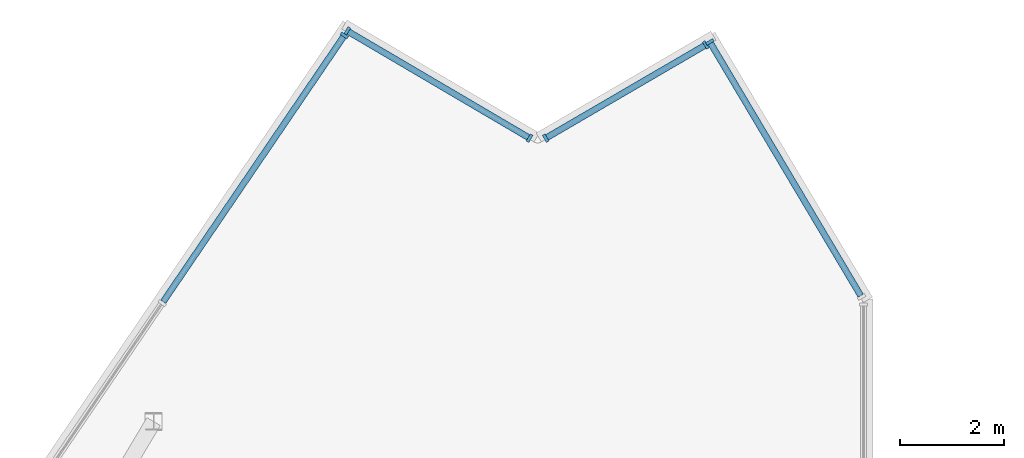
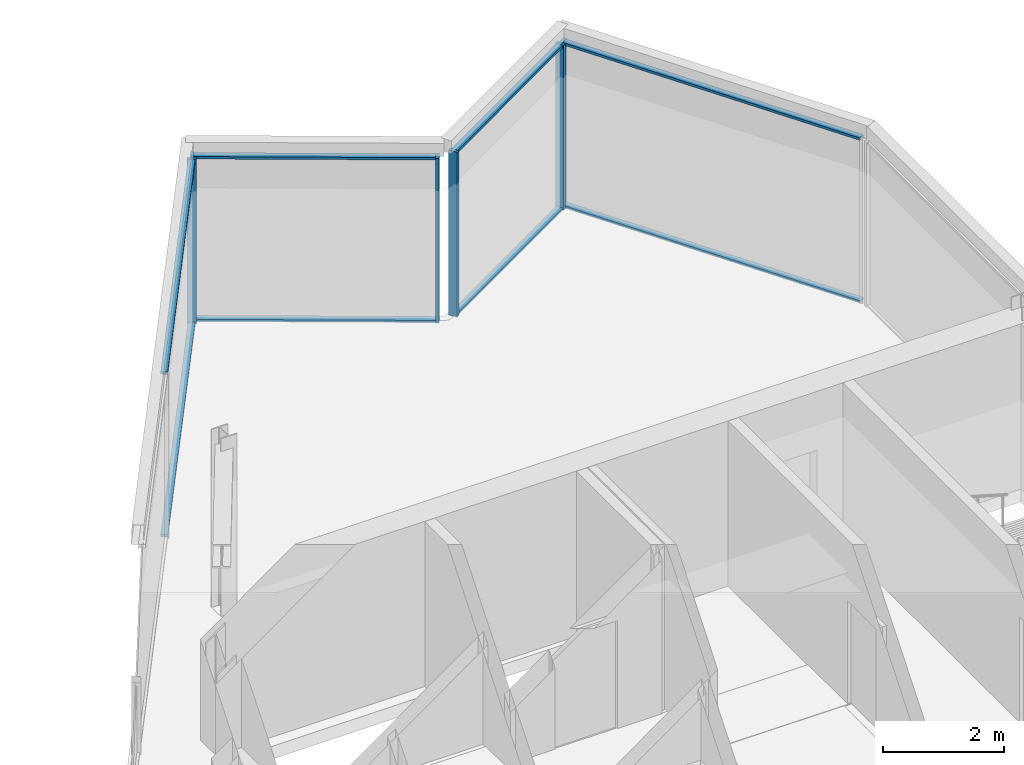
# One storey, part 7 of 15: 14 members, 4 elements without a shape of their own.
"""IFC4 building model written with IfcOpenShell, lengths in metres."""

from ifc_helpers import new_model, si_unit, direction, frame, origin, origin_2d, place, context, subcontext, project, spatial, rectangle, extrude, material, material_profile, profile_set, type_object, element, aggregate, save


model = new_model("IFC4")

# Units and contexts
model_context = context("Model", 3, precision=1e-05, world=origin(), true_north=direction((0.0, 1.0)))
body_context = subcontext(model_context, "Body", "Model", "MODEL_VIEW")
ifc_project = project(units=[si_unit("LENGTHUNIT", "METRE"), si_unit("AREAUNIT", "SQUARE_METRE"), si_unit("VOLUMEUNIT", "CUBIC_METRE"), si_unit("PLANEANGLEUNIT", "RADIAN"), si_unit("MASSUNIT", "GRAM", prefix="KILO")], contexts=[model_context])

# Site, building, storey
site_placement = place(None, origin())
site = spatial("IfcSite", under=ifc_project, at=site_placement, CompositionType="ELEMENT")
building_placement = place(site_placement, origin())
building = spatial("IfcBuilding", under=site, at=building_placement, Name="Savorim Split Tower", CompositionType="ELEMENT")
storey_placement = place(building_placement, frame((0.0, 0.0, 301.199951171875)))
storey = spatial("IfcBuildingStorey", under=building, at=storey_placement, Name="Crown L80 Plant", CompositionType="ELEMENT", Elevation=301.199951171875)

# Curtain wall, member
ifc_material_1 = material(Name="Dark Ceramic-Fritted Insulated Glass", Category="glass")
curtain_wall_type = type_object("IfcCurtainWallType", Name="CW-CROWN-CREST", PredefinedType="NOTDEFINED", material=ifc_material_1)
curtain_wall_1_placement = place(storey_placement, origin())
curtain_wall_1 = element("IfcCurtainWall", 1, at=curtain_wall_1_placement, inside=storey, type_object=curtain_wall_type, Name="Crown L80 Plant Curtain Wall CW-Crown-L80-Plant-W2A", PredefinedType="NOTDEFINED")
ifc_material_2 = material(Name="Charcoal Anodised Aluminium", Category="aluminium")
ifc_material_profile_1 = material_profile(ifc_material_2, rectangle(XDim=0.159912109375, YDim=0.06005859375, at=origin_2d()), Name="ALU-M 160x60")
ifc_profile_set_1 = profile_set([ifc_material_profile_1], Name="Charcoal Anodised Aluminium")
member_type_1 = type_object("IfcMemberType", Name="CWM-160x60", PredefinedType="MULLION", material=ifc_profile_set_1)
member_1_placement = place(storey_placement, frame((4.976806640625, 20.8349609375, 0.0), z_axis=(0.0, 0.0, 1.0), x_axis=(-0.859518577011, -0.511104505725, 0.0)))
member_1 = element("IfcMember", 2, at=member_1_placement, type_object=member_type_1, Name="CW-07 mullion 2", PredefinedType="MULLION", context=body_context, shape_type="SweptSolid", body=[
    extrude(rectangle(XDim=0.159912109375, YDim=0.06005859375, at=origin_2d()), origin(), (0.0, 0.0, 1.0), 3.340087890625),
])

# Curtain wall, members
curtain_wall_2_placement = place(storey_placement, origin())
curtain_wall_2 = element("IfcCurtainWall", 3, at=curtain_wall_2_placement, inside=storey, type_object=curtain_wall_type, Name="Crown L80 Plant Curtain Wall CW-Crown-L80-Plant-W3A", PredefinedType="NOTDEFINED")
member_2_placement = place(storey_placement, frame((4.8984375, 20.77880859375, 0.0), z_axis=(0.0, 0.0, 1.0), x_axis=(0.503513586063, -0.863987308153, 0.0)))
member_2 = element("IfcMember", 4, at=member_2_placement, type_object=member_type_1, Name="CW-07 mullion 1", PredefinedType="MULLION", context=body_context, shape_type="SweptSolid", body=[
    extrude(rectangle(XDim=0.159912109375, YDim=0.06005859375, at=origin_2d()), origin(), (0.0, 0.0, 1.0), 3.340087890625),
])
member_3_placement = place(storey_placement, frame((1.82373046875, 18.987060546875, 0.0), z_axis=(0.0, 0.0, 1.0), x_axis=(0.503513586063, -0.863987308153, 0.0)))
member_3 = element("IfcMember", 5, at=member_3_placement, type_object=member_type_1, Name="CW-07 mullion 2", PredefinedType="MULLION", context=body_context, shape_type="SweptSolid", body=[
    extrude(rectangle(XDim=0.159912109375, YDim=0.06005859375, at=origin_2d()), origin(), (0.0, 0.0, 1.0), 3.340087890625),
])

curtain_wall_3_placement = place(storey_placement, origin())
curtain_wall_3 = element("IfcCurtainWall", 6, at=curtain_wall_3_placement, inside=storey, type_object=curtain_wall_type, Name="Crown L80 Plant Curtain Wall CW-Crown-L80-Plant-W4A", PredefinedType="NOTDEFINED")
member_4_placement = place(storey_placement, frame((1.5126953125, 18.987548828125, 0.0), z_axis=(0.0, 0.0, 1.0), x_axis=(-0.506706354799, -0.862118709927, 0.0)))
member_4 = element("IfcMember", 7, at=member_4_placement, type_object=member_type_1, Name="CW-07 mullion 1", PredefinedType="MULLION", context=body_context, shape_type="SweptSolid", body=[
    extrude(rectangle(XDim=0.159912109375, YDim=0.06005859375, at=origin_2d()), origin(), (0.0, 0.0, 1.0), 3.340087890625),
])
member_5_placement = place(storey_placement, frame((-1.990234375, 21.04638671875, 0.0), z_axis=(0.0, 0.0, 1.0), x_axis=(-0.506706354799, -0.862118709927, 0.0)))
member_5 = element("IfcMember", 8, at=member_5_placement, type_object=member_type_1, Name="CW-07 mullion 2", PredefinedType="MULLION", context=body_context, shape_type="SweptSolid", body=[
    extrude(rectangle(XDim=0.159912109375, YDim=0.06005859375, at=origin_2d()), origin(), (0.0, 0.0, 1.0), 3.340087890625),
])

# Curtain wall, member
curtain_wall_4_placement = place(storey_placement, origin())
curtain_wall_4 = element("IfcCurtainWall", 9, at=curtain_wall_4_placement, inside=storey, type_object=curtain_wall_type, Name="Crown L80 Plant Curtain Wall CW-Crown-L80-Plant-W5A", PredefinedType="NOTDEFINED")
member_6_placement = place(storey_placement, frame((-2.0458984375, 20.96044921875, 0.0), z_axis=(0.0, 0.0, 1.0), x_axis=(0.826821213744, -0.562464826014, 0.0)))
member_6 = element("IfcMember", 10, at=member_6_placement, type_object=member_type_1, Name="CW-07 mullion 1", PredefinedType="MULLION", context=body_context, shape_type="SweptSolid", body=[
    extrude(rectangle(XDim=0.159912109375, YDim=0.06005859375, at=origin_2d()), origin(), (0.0, 0.0, 1.0), 3.340087890625),
])

# Member
ifc_material_profile_2 = material_profile(ifc_material_2, rectangle(XDim=0.1201171875, YDim=0.050048828125, at=origin_2d()), Name="ALU-T 120x50")
ifc_profile_set_2 = profile_set([ifc_material_profile_2], Name="Charcoal Anodised Aluminium")
member_type_2 = type_object("IfcMemberType", Name="CWT-120x50", PredefinedType="USERDEFINED", material=ifc_profile_set_2)
member_7_placement = place(storey_placement, frame((7.875244140625, 15.96044921875, 0.025146484375), z_axis=(-0.511086627264, 0.859529208016, 0.0), x_axis=(-0.859529208016, -0.511086627264, 0.0)))
member_7 = element("IfcMember", 11, at=member_7_placement, type_object=member_type_2, Name="CW-07 transom 1.1", ObjectType="TRANSOM", PredefinedType="USERDEFINED", context=body_context, shape_type="SweptSolid", body=[
    extrude(rectangle(XDim=0.1201171875, YDim=0.050048828125, at=origin_2d()), origin(), (0.0, 0.0, 1.0), 5.64111328125),
])

member_8_placement = place(storey_placement, frame((7.875244140625, 15.96044921875, 3.31494140625), z_axis=(-0.511086627264, 0.859529208016, 0.0), x_axis=(-0.859529208016, -0.511086627264, 0.0)))
member_8 = element("IfcMember", 12, at=member_8_placement, type_object=member_type_2, Name="CW-07 transom 1.2", ObjectType="TRANSOM", PredefinedType="USERDEFINED", context=body_context, shape_type="SweptSolid", body=[
    extrude(rectangle(XDim=0.1201171875, YDim=0.050048828125, at=origin_2d()), origin(), (0.0, 0.0, 1.0), 5.64111328125),
])

aggregate(curtain_wall_1, [member_1, member_7, member_8])

member_9_placement = place(storey_placement, frame((4.87255859375, 20.763671875, 0.025146484375), z_axis=(-0.863999018513, -0.503493491525, 0.0), x_axis=(0.503493491525, -0.863999018513, 0.0)))
member_9 = element("IfcMember", 13, at=member_9_placement, type_object=member_type_2, Name="CW-07 transom 1.1", ObjectType="TRANSOM", PredefinedType="USERDEFINED", context=body_context, shape_type="SweptSolid", body=[
    extrude(rectangle(XDim=0.1201171875, YDim=0.050048828125, at=origin_2d()), origin(), (0.0, 0.0, 1.0), 3.49853515625),
])

member_10_placement = place(storey_placement, frame((4.87255859375, 20.763671875, 3.31494140625), z_axis=(-0.863999018513, -0.503493491525, 0.0), x_axis=(0.503493491525, -0.863999018513, 0.0)))
member_10 = element("IfcMember", 14, at=member_10_placement, type_object=member_type_2, Name="CW-07 transom 1.2", ObjectType="TRANSOM", PredefinedType="USERDEFINED", context=body_context, shape_type="SweptSolid", body=[
    extrude(rectangle(XDim=0.1201171875, YDim=0.050048828125, at=origin_2d()), origin(), (0.0, 0.0, 1.0), 3.49853515625),
])

aggregate(curtain_wall_2, [member_2, member_3, member_9, member_10])

member_11_placement = place(storey_placement, frame((1.48681640625, 19.002685546875, 0.025146484375), z_axis=(-0.862101919419, 0.506734921368, 0.0), x_axis=(-0.506734921368, -0.862101919419, 0.0)))
member_11 = element("IfcMember", 15, at=member_11_placement, type_object=member_type_2, Name="CW-07 transom 1.1", ObjectType="TRANSOM", PredefinedType="USERDEFINED", context=body_context, shape_type="SweptSolid", body=[
    extrude(rectangle(XDim=0.1201171875, YDim=0.050048828125, at=origin_2d()), origin(), (0.0, 0.0, 1.0), 4.003173828125),
])

member_12_placement = place(storey_placement, frame((1.48681640625, 19.002685546875, 3.31494140625), z_axis=(-0.862101919419, 0.506734921368, 0.0), x_axis=(-0.506734921368, -0.862101919419, 0.0)))
member_12 = element("IfcMember", 16, at=member_12_placement, type_object=member_type_2, Name="CW-07 transom 1.2", ObjectType="TRANSOM", PredefinedType="USERDEFINED", context=body_context, shape_type="SweptSolid", body=[
    extrude(rectangle(XDim=0.1201171875, YDim=0.050048828125, at=origin_2d()), origin(), (0.0, 0.0, 1.0), 4.003173828125),
])

aggregate(curtain_wall_3, [member_4, member_5, member_11, member_12])

member_13_placement = place(storey_placement, frame((-2.062744140625, 20.935546875, 0.025146484375), z_axis=(-0.562479160055, -0.826811462489, 0.0), x_axis=(0.826811462489, -0.562479160055, 0.0)))
member_13 = element("IfcMember", 17, at=member_13_placement, type_object=member_type_2, Name="CW-07 transom 1.1", ObjectType="TRANSOM", PredefinedType="USERDEFINED", context=body_context, shape_type="SweptSolid", body=[
    extrude(rectangle(XDim=0.1201171875, YDim=0.050048828125, at=origin_2d()), origin(), (0.0, 0.0, 1.0), 6.15869140625),
])

member_14_placement = place(storey_placement, frame((-2.062744140625, 20.935546875, 3.31494140625), z_axis=(-0.562479160055, -0.826811462489, 0.0), x_axis=(0.826811462489, -0.562479160055, 0.0)))
member_14 = element("IfcMember", 18, at=member_14_placement, type_object=member_type_2, Name="CW-07 transom 1.2", ObjectType="TRANSOM", PredefinedType="USERDEFINED", context=body_context, shape_type="SweptSolid", body=[
    extrude(rectangle(XDim=0.1201171875, YDim=0.050048828125, at=origin_2d()), origin(), (0.0, 0.0, 1.0), 6.15869140625),
])

aggregate(curtain_wall_4, [member_6, member_13, member_14])

save(model, "model.ifc")
